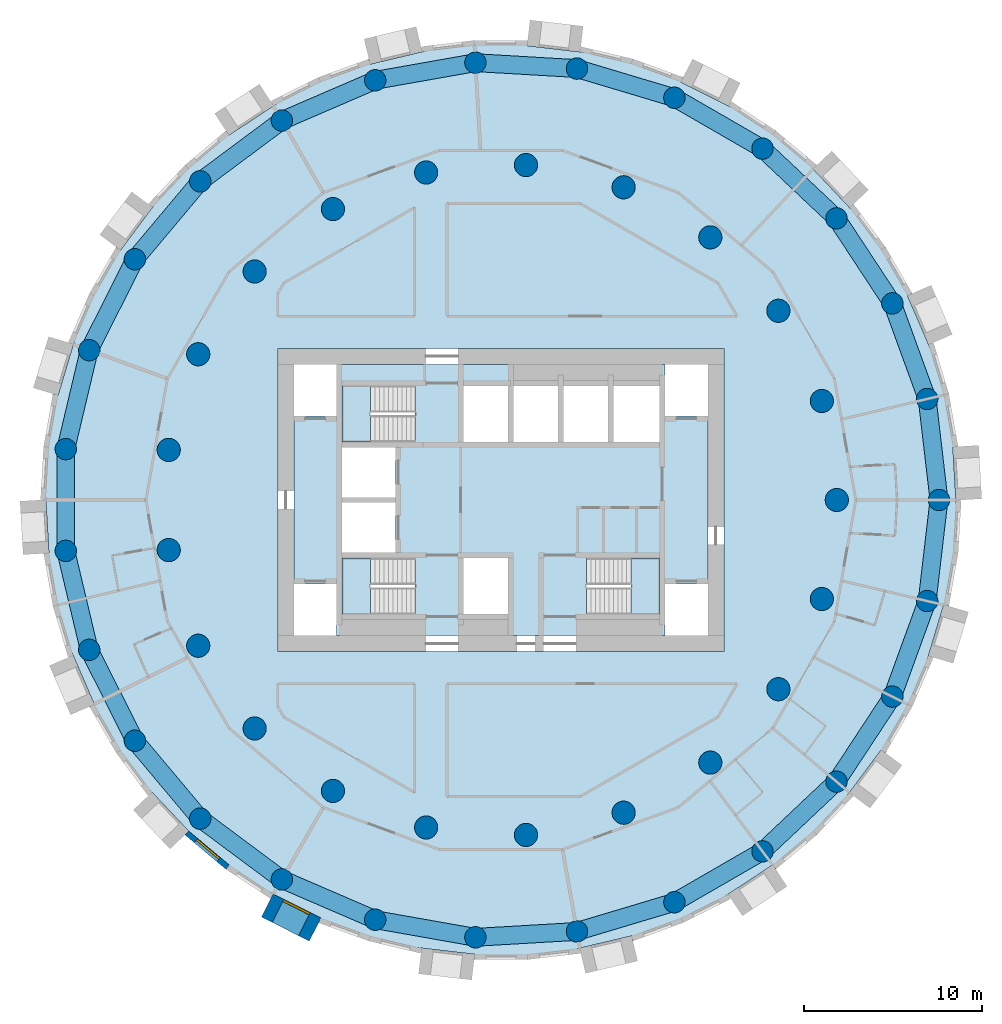
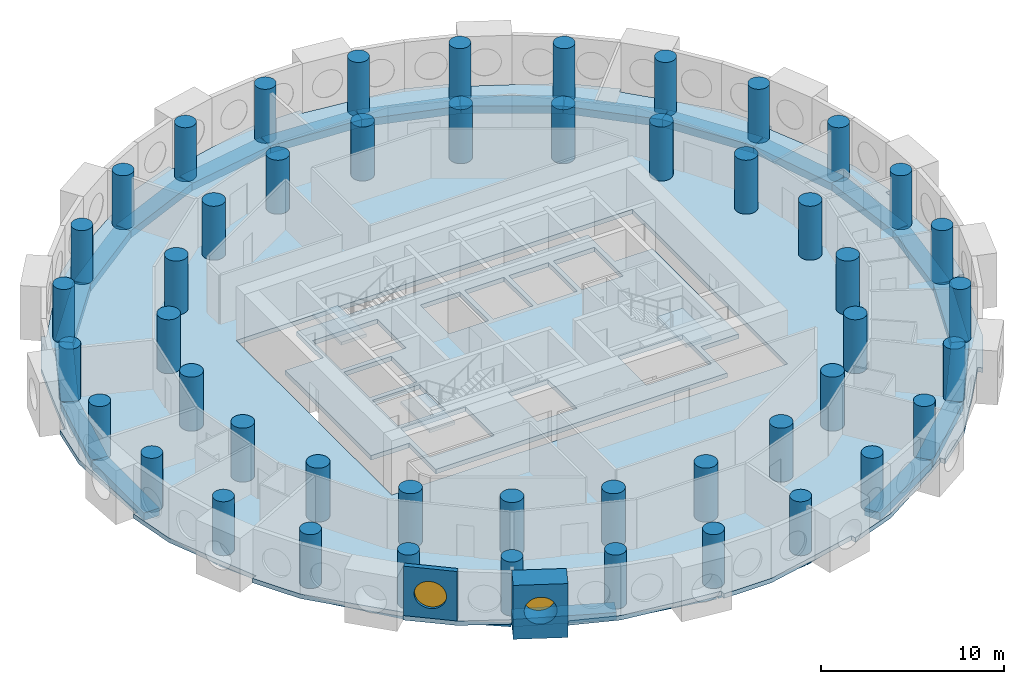
# One storey, part 1 of 9: 48 columns, 27 beams, 5 slabs, 2 walls, 2 windows, 2 openings, 3 elements without a shape of their own.
"""IFC4 building model written with IfcOpenShell, lengths in metres."""

from ifc_helpers import new_model, si_unit, direction, frame, frame_2d, origin, origin_2d, place, context, subcontext, project, spatial, polyline, rectangle, circle, outline, extrude, material, layer, layer_set, material_profile, profile_set, type_object, element, fill, aggregate, save


model = new_model("IFC4")

# Units and contexts
model_context = context("Model", 3, precision=1e-05, world=origin(), true_north=direction((0.0, 1.0)))
body_context = subcontext(model_context, "Body", "Model", "MODEL_VIEW")
ifc_project = project(units=[si_unit("LENGTHUNIT", "METRE"), si_unit("AREAUNIT", "SQUARE_METRE"), si_unit("VOLUMEUNIT", "CUBIC_METRE"), si_unit("PLANEANGLEUNIT", "RADIAN"), si_unit("MASSUNIT", "GRAM", prefix="KILO")], contexts=[model_context])

# Site, building, storey
site_placement = place(None, origin())
site = spatial("IfcSite", under=ifc_project, at=site_placement, CompositionType="ELEMENT")
building_placement = place(site_placement, origin())
building = spatial("IfcBuilding", under=site, at=building_placement, Name="Tracery Tower", CompositionType="ELEMENT")
storey_placement = place(building_placement, frame((0.0, 0.0, 198.0)))
storey = spatial("IfcBuildingStorey", under=building, at=storey_placement, Name="L51", CompositionType="ELEMENT", Elevation=198.0)

# Columns
ifc_material_1 = material(Name="Concrete C50/60", Category="concrete")
ifc_material_profile_1 = material_profile(ifc_material_1, circle(Radius=0.60009765625, at=origin_2d()), Name="RC D1200")
ifc_profile_set_1 = profile_set([ifc_material_profile_1], Name="Concrete C50/60")
column_type_1 = type_object("IfcColumnType", Name="Ring 1 column 1200", PredefinedType="COLUMN", material=ifc_profile_set_1)
for number, where, z_axis, x_axis, name in (
    (1, (24.547607421875, 0.0, 0.0), (0.0, 0.0, 1.0), (1.0, 0.0, 0.0), "Ring 1 column 00 at L51"),
    (2, (23.885986328125, 5.6611328125, 0.0), (0.0, 0.0, 1.0), (1.0, 0.0, 0.0), "Ring 1 column 01 at L51"),
    (3, (21.9365234375, 11.01708984375, 0.0), (0.0, 0.0, 1.0), (1.0, 0.0, 0.0), "Ring 1 column 02 at L51"),
    (4, (18.8046875, 15.779052734375, 0.0), (0.0, 0.0, 1.0), (1.0, 0.0, 0.0), "Ring 1 column 03 at L51"),
    (5, (14.658935546875, 19.690185546875, 0.0), (0.0, 0.0, 1.0), (1.0, 0.0, 0.0), "Ring 1 column 04 at L51"),
    (6, (9.722900390625, 22.5400390625, 0.0), (0.0, 0.0, 1.0), (1.0, 0.0, 0.0), "Ring 1 column 05 at L51"),
    (7, (4.2626953125, 24.1748046875, 0.0), (0.0, 0.0, 1.0), (1.0, 0.0, 0.0), "Ring 1 column 06 at L51"),
    (8, (-1.42724609375, 24.506103515625, 0.0), (0.0, 0.0, 1.0), (1.0, 0.0, 0.0), "Ring 1 column 07 at L51"),
    (9, (-7.040283203125, 23.516357421875, 0.0), (0.0, 0.0, 1.0), (1.0, 0.0, 0.0), "Ring 1 column 08 at L51"),
    (10, (-12.273681640625, 21.2587890625, 0.0), (0.0, 0.0, 1.0), (1.0, 0.0, 0.0), "Ring 1 column 09 at L51"),
    (11, (-16.845703125, 17.855224609375, 0.0), (0.0, 0.0, 1.0), (1.0, 0.0, 0.0), "Ring 1 column 10 at L51"),
    (12, (-20.50927734375, 13.4892578125, 0.0), (0.0, 0.0, 1.0), (1.0, 0.0, 0.0), "Ring 1 column 11 at L51"),
    (13, (-23.0673828125, 8.395751953125, 0.0), (0.0, 0.0, 1.0), (1.0, 0.0, 0.0), "Ring 1 column 12 at L51"),
    (14, (-24.381591796875, 2.849853515625, 0.0), (0.0, 0.0, 1.0), (1.0, 0.0, 0.0), "Ring 1 column 13 at L51"),
    (15, (-24.381591796875, -2.849853515625, 0.0), (0.0, 0.0, 1.0), (1.0, 0.0, 0.0), "Ring 1 column 14 at L51"),
    (16, (-23.0673828125, -8.395751953125, 0.0), (0.0, 0.0, 1.0), (1.0, 0.0, 0.0), "Ring 1 column 15 at L51"),
    (17, (-20.50927734375, -13.4892578125, 0.0), (0.0, 0.0, 1.0), (1.0, 0.0, 0.0), "Ring 1 column 16 at L51"),
    (18, (-16.845703125, -17.85546875, 0.0), (0.0, 0.0, 1.0), (1.0, 0.0, 0.0), "Ring 1 column 17 at L51"),
    (19, (-12.27392578125, -21.2587890625, 0.0), (0.0, 0.0, 1.0), (1.0, 0.0, 0.0), "Ring 1 column 18 at L51"),
    (20, (-7.040283203125, -23.516357421875, 0.0), (0.0, 0.0, 1.0), (1.0, 0.0, 0.0), "Ring 1 column 19 at L51"),
    (21, (-1.42724609375, -24.506103515625, 0.0), (0.0, 0.0, 1.0), (1.0, 0.0, 0.0), "Ring 1 column 20 at L51"),
    (22, (4.2626953125, -24.1748046875, 0.0), (0.0, 0.0, 1.0), (1.0, 0.0, 0.0), "Ring 1 column 21 at L51"),
    (23, (9.722900390625, -22.5400390625, 0.0), (0.0, 0.0, 1.0), (1.0, 0.0, 0.0), "Ring 1 column 22 at L51"),
    (24, (14.658935546875, -19.690185546875, 0.0), (0.0, 0.0, 1.0), (1.0, 0.0, 0.0), "Ring 1 column 23 at L51"),
    (25, (18.8046875, -15.779052734375, 0.0), (0.0, 0.0, 1.0), (1.0, 0.0, 0.0), "Ring 1 column 24 at L51"),
    (26, (21.9365234375, -11.01708984375, 0.0), (0.0, 0.0, 1.0), (1.0, 0.0, 0.0), "Ring 1 column 25 at L51"),
    (27, (23.885986328125, -5.6611328125, 0.0), (0.0, 0.0, 1.0), (1.0, 0.0, 0.0), "Ring 1 column 26 at L51"),
):
    element("IfcColumn", number, at=place(storey_placement, frame(where, z_axis=z_axis, x_axis=x_axis)), inside=storey, type_object=column_type_1, Name=name, PredefinedType="COLUMN", context=body_context, shape_type="SweptSolid", body=[
        extrude(circle(Radius=0.60009765625, at=origin_2d()), origin(), (0.0, 0.0, 1.0), 3.60009765625),
    ])
ifc_material_2 = material(Name="Concrete C50/60", Category="concrete")
ifc_material_profile_2 = material_profile(ifc_material_2, circle(Radius=0.64990234375, at=origin_2d()), Name="RC D1300")
ifc_profile_set_2 = profile_set([ifc_material_profile_2], Name="Concrete C50/60")
column_type_2 = type_object("IfcColumnType", Name="Ring 2 column 1300", PredefinedType="COLUMN", material=ifc_profile_set_2)
for number, where, z_axis, x_axis, name in (
    (28, (18.822265625, 0.0, 0.0), (0.0, 0.0, 1.0), (1.0, 0.0, 0.0), "Ring 2 column 00 at L51"),
    (29, (17.986083984375, 5.5478515625, 0.0), (0.0, 0.0, 1.0), (1.0, 0.0, 0.0), "Ring 2 column 01 at L51"),
    (30, (15.551513671875, 10.602783203125, 0.0), (0.0, 0.0, 1.0), (1.0, 0.0, 0.0), "Ring 2 column 02 at L51"),
    (31, (11.7353515625, 14.7158203125, 0.0), (0.0, 0.0, 1.0), (1.0, 0.0, 0.0), "Ring 2 column 03 at L51"),
    (32, (6.87646484375, 17.52099609375, 0.0), (0.0, 0.0, 1.0), (1.0, 0.0, 0.0), "Ring 2 column 04 at L51"),
    (33, (1.406494140625, 18.76953125, 0.0), (0.0, 0.0, 1.0), (1.0, 0.0, 0.0), "Ring 2 column 05 at L51"),
    (34, (-4.188232421875, 18.350341796875, 0.0), (0.0, 0.0, 1.0), (1.0, 0.0, 0.0), "Ring 2 column 06 at L51"),
    (35, (-9.4111328125, 16.300537109375, 0.0), (0.0, 0.0, 1.0), (1.0, 0.0, 0.0), "Ring 2 column 07 at L51"),
    (36, (-13.797607421875, 12.802490234375, 0.0), (0.0, 0.0, 1.0), (1.0, 0.0, 0.0), "Ring 2 column 08 at L51"),
    (37, (-16.958251953125, 8.16650390625, 0.0), (0.0, 0.0, 1.0), (1.0, 0.0, 0.0), "Ring 2 column 09 at L51"),
    (38, (-18.612060546875, 2.805419921875, 0.0), (0.0, 0.0, 1.0), (1.0, 0.0, 0.0), "Ring 2 column 10 at L51"),
    (39, (-18.612060546875, -2.805419921875, 0.0), (0.0, 0.0, 1.0), (1.0, 0.0, 0.0), "Ring 2 column 11 at L51"),
    (40, (-16.958251953125, -8.166748046875, 0.0), (0.0, 0.0, 1.0), (1.0, 0.0, 0.0), "Ring 2 column 12 at L51"),
    (41, (-13.797607421875, -12.80224609375, 0.0), (0.0, 0.0, 1.0), (1.0, 0.0, 0.0), "Ring 2 column 13 at L51"),
    (42, (-9.4111328125, -16.300537109375, 0.0), (0.0, 0.0, 1.0), (1.0, 0.0, 0.0), "Ring 2 column 14 at L51"),
    (43, (-4.188232421875, -18.350341796875, 0.0), (0.0, 0.0, 1.0), (1.0, 0.0, 0.0), "Ring 2 column 15 at L51"),
    (44, (1.406494140625, -18.76953125, 0.0), (0.0, 0.0, 1.0), (1.0, 0.0, 0.0), "Ring 2 column 16 at L51"),
    (45, (6.87646484375, -17.52099609375, 0.0), (0.0, 0.0, 1.0), (1.0, 0.0, 0.0), "Ring 2 column 17 at L51"),
    (46, (11.7353515625, -14.7158203125, 0.0), (0.0, 0.0, 1.0), (1.0, 0.0, 0.0), "Ring 2 column 18 at L51"),
    (47, (15.551513671875, -10.602783203125, 0.0), (0.0, 0.0, 1.0), (1.0, 0.0, 0.0), "Ring 2 column 19 at L51"),
    (48, (17.986083984375, -5.5478515625, 0.0), (0.0, 0.0, 1.0), (1.0, 0.0, 0.0), "Ring 2 column 20 at L51"),
):
    element("IfcColumn", number, at=place(storey_placement, frame(where, z_axis=z_axis, x_axis=x_axis)), inside=storey, type_object=column_type_2, Name=name, PredefinedType="COLUMN", context=body_context, shape_type="SweptSolid", body=[
        extrude(circle(Radius=0.64990234375, at=origin_2d()), origin(), (0.0, 0.0, 1.0), 3.60009765625),
    ])

# Beams
ifc_material_3 = material(Name="Concrete C50/60", Category="concrete")
ifc_material_profile_3 = material_profile(ifc_material_3, rectangle(XDim=1.0, YDim=0.5, at=origin_2d()), Name="RC 1000x500")
ifc_profile_set_3 = profile_set([ifc_material_profile_3], Name="Concrete C50/60")
beam_type = type_object("IfcBeamType", Name="Perimeter band beam 1000x500", PredefinedType="BEAM", material=ifc_profile_set_3)
for number, where, z_axis, x_axis, name in (
    (49, (24.547607421875, 0.0, -0.550048828125), (-0.116080723252, 0.993239782575, 0.0), (-0.993239782575, -0.116080723252, 0.0), "Perimeter beam 1.00 under L51"),
    (50, (23.885986328125, 5.6611328125, -0.550048828125), (-0.342028502279, 0.939689578334, 0.0), (-0.939689578334, -0.342028502279, 0.0), "Perimeter beam 1.01 under L51"),
):
    element("IfcBeam", number, at=place(storey_placement, frame(where, z_axis=z_axis, x_axis=x_axis)), inside=storey, type_object=beam_type, Name=name, PredefinedType="BEAM", context=body_context, shape_type="SweptSolid", body=[
        extrude(rectangle(XDim=1.0, YDim=0.5, at=origin_2d()), origin(), (0.0, 0.0, 1.0), 5.69970703125),
    ])
for number, where, z_axis, x_axis, name in (
    (51, (21.9365234375, 11.01708984375, -0.550048828125), (-0.549489832182, 0.835500403548, 0.0), (-0.835500403548, -0.549489832182, 0.0), "Perimeter beam 1.02 under L51"),
    (52, (18.8046875, 15.779052734375, -0.550048828125), (-0.727389618263, 0.686224703172, 0.0), (-0.686224703172, -0.727389618263, 0.0), "Perimeter beam 1.03 under L51"),
):
    element("IfcBeam", number, at=place(storey_placement, frame(where, z_axis=z_axis, x_axis=x_axis)), inside=storey, type_object=beam_type, Name=name, PredefinedType="BEAM", context=body_context, shape_type="SweptSolid", body=[
        extrude(rectangle(XDim=1.0, YDim=0.5, at=origin_2d()), origin(), (0.0, 0.0, 1.0), 5.699462890625),
    ])
for number, where, z_axis, x_axis, name in (
    (53, (14.658935546875, 19.690185546875, -0.550048828125), (-0.866022950691, 0.500004248858, 0.0), (-0.500004248858, -0.866022950691, 0.0), "Perimeter beam 1.04 under L51"),
    (54, (9.722900390625, 22.5400390625, -0.550048828125), (-0.957985292634, 0.28681732705, 0.0), (-0.28681732705, -0.957985292634, 0.0), "Perimeter beam 1.05 under L51"),
):
    element("IfcBeam", number, at=place(storey_placement, frame(where, z_axis=z_axis, x_axis=x_axis)), inside=storey, type_object=beam_type, Name=name, PredefinedType="BEAM", context=body_context, shape_type="SweptSolid", body=[
        extrude(rectangle(XDim=1.0, YDim=0.5, at=origin_2d()), origin(), (0.0, 0.0, 1.0), 5.69970703125),
    ])
beam_1_placement = place(storey_placement, frame((4.2626953125, 24.1748046875, -0.550048828125), z_axis=(-0.99830920221, 0.058126902403, 0.0), x_axis=(-0.058126902403, -0.99830920221, 0.0)))
element("IfcBeam", 55, at=beam_1_placement, inside=storey, type_object=beam_type, Name="Perimeter beam 1.06 under L51", PredefinedType="BEAM", context=body_context, shape_type="SweptSolid", body=[
    extrude(rectangle(XDim=1.0, YDim=0.5, at=origin_2d()), origin(), (0.0, 0.0, 1.0), 5.699462890625),
])
beam_2_placement = place(storey_placement, frame((-1.42724609375, 24.506103515625, -0.550048828125), z_axis=(-0.984807266719, -0.173650935552, 0.0), x_axis=(0.173650935552, -0.984807266719, 0.0)))
element("IfcBeam", 56, at=beam_2_placement, inside=storey, type_object=beam_type, Name="Perimeter beam 1.07 under L51", PredefinedType="BEAM", context=body_context, shape_type="SweptSolid", body=[
    extrude(rectangle(XDim=1.0, YDim=0.5, at=origin_2d()), origin(), (0.0, 0.0, 1.0), 5.69970703125),
])
beam_3_placement = place(storey_placement, frame((-7.040283203125, 23.516357421875, -0.550048828125), z_axis=(-0.918209685525, -0.396094652083, 0.0), x_axis=(0.396094652083, -0.918209685525, 0.0)))
element("IfcBeam", 57, at=beam_3_placement, inside=storey, type_object=beam_type, Name="Perimeter beam 1.08 under L51", PredefinedType="BEAM", context=body_context, shape_type="SweptSolid", body=[
    extrude(rectangle(XDim=1.0, YDim=0.5, at=origin_2d()), origin(), (0.0, 0.0, 1.0), 5.699462890625),
])
beam_4_placement = place(storey_placement, frame((-12.273681640625, 21.2587890625, -0.550048828125), z_axis=(-0.802138271299, -0.59713833717, 0.0), x_axis=(0.59713833717, -0.802138271299, 0.0)))
element("IfcBeam", 58, at=beam_4_placement, inside=storey, type_object=beam_type, Name="Perimeter beam 1.09 under L51", PredefinedType="BEAM", context=body_context, shape_type="SweptSolid", body=[
    extrude(rectangle(XDim=1.0, YDim=0.5, at=origin_2d()), origin(), (0.0, 0.0, 1.0), 5.69970703125),
])
beam_5_placement = place(storey_placement, frame((-16.845703125, 17.855224609375, -0.550048828125), z_axis=(-0.642797194343, -0.766036400535, 0.0), x_axis=(0.766036400535, -0.642797194343, 0.0)))
element("IfcBeam", 59, at=beam_5_placement, inside=storey, type_object=beam_type, Name="Perimeter beam 1.10 under L51", PredefinedType="BEAM", context=body_context, shape_type="SweptSolid", body=[
    extrude(rectangle(XDim=1.0, YDim=0.5, at=origin_2d()), origin(), (0.0, 0.0, 1.0), 5.699462890625),
])
beam_6_placement = place(storey_placement, frame((-20.50927734375, 13.4892578125, -0.550048828125), z_axis=(-0.448806280933, -0.893629074166, 0.0), x_axis=(0.893629074166, -0.448806280933, 0.0)))
element("IfcBeam", 60, at=beam_6_placement, inside=storey, type_object=beam_type, Name="Perimeter beam 1.11 under L51", PredefinedType="BEAM", context=body_context, shape_type="SweptSolid", body=[
    extrude(rectangle(XDim=1.0, YDim=0.5, at=origin_2d()), origin(), (0.0, 0.0, 1.0), 5.69970703125),
])
beam_7_placement = place(storey_placement, frame((-23.0673828125, 8.395751953125, -0.550048828125), z_axis=(-0.230583793756, -0.973052472407, 0.0), x_axis=(0.973052472407, -0.230583793756, 0.0)))
element("IfcBeam", 61, at=beam_7_placement, inside=storey, type_object=beam_type, Name="Perimeter beam 1.12 under L51", PredefinedType="BEAM", context=body_context, shape_type="SweptSolid", body=[
    extrude(rectangle(XDim=1.0, YDim=0.5, at=origin_2d()), origin(), (0.0, 0.0, 1.0), 5.699462890625),
])
beam_8_placement = place(storey_placement, frame((-24.381591796875, 2.849853515625, -0.550048828125), z_axis=(0.0, -1.0, 0.0), x_axis=(1.0, 0.0, 0.0)))
element("IfcBeam", 62, at=beam_8_placement, inside=storey, type_object=beam_type, Name="Perimeter beam 1.13 under L51", PredefinedType="BEAM", context=body_context, shape_type="SweptSolid", body=[
    extrude(rectangle(XDim=1.0, YDim=0.5, at=origin_2d()), origin(), (0.0, 0.0, 1.0), 5.69970703125),
])
beam_9_placement = place(storey_placement, frame((-24.381591796875, -2.849853515625, -0.550048828125), z_axis=(0.230583793756, -0.973052472407, 0.0), x_axis=(0.973052472407, 0.230583793756, 0.0)))
element("IfcBeam", 63, at=beam_9_placement, inside=storey, type_object=beam_type, Name="Perimeter beam 1.14 under L51", PredefinedType="BEAM", context=body_context, shape_type="SweptSolid", body=[
    extrude(rectangle(XDim=1.0, YDim=0.5, at=origin_2d()), origin(), (0.0, 0.0, 1.0), 5.699462890625),
])
for number, where, z_axis, x_axis, name in (
    (64, (-23.0673828125, -8.395751953125, -0.550048828125), (0.448806280933, -0.893629074166, 0.0), (0.893629074166, 0.448806280933, 0.0), "Perimeter beam 1.15 under L51"),
    (65, (-20.50927734375, -13.4892578125, -0.550048828125), (0.64277610208, -0.766054099, 0.0), (0.766054099, 0.64277610208, 0.0), "Perimeter beam 1.16 under L51"),
):
    element("IfcBeam", number, at=place(storey_placement, frame(where, z_axis=z_axis, x_axis=x_axis)), inside=storey, type_object=beam_type, Name=name, PredefinedType="BEAM", context=body_context, shape_type="SweptSolid", body=[
        extrude(rectangle(XDim=1.0, YDim=0.5, at=origin_2d()), origin(), (0.0, 0.0, 1.0), 5.69970703125),
    ])
beam_10_placement = place(storey_placement, frame((-16.845703125, -17.85546875, -0.550048828125), z_axis=(0.802143514942, -0.597131293298, 0.0), x_axis=(0.597131293298, 0.802143514942, 0.0)))
element("IfcBeam", 66, at=beam_10_placement, inside=storey, type_object=beam_type, Name="Perimeter beam 1.17 under L51", PredefinedType="BEAM", context=body_context, shape_type="SweptSolid", body=[
    extrude(rectangle(XDim=1.0, YDim=0.5, at=origin_2d()), origin(), (0.0, 0.0, 1.0), 5.699462890625),
])
for number, where, z_axis, x_axis, name in (
    (67, (-12.27392578125, -21.2587890625, -0.550048828125), (0.918216405543, -0.39607907366, 0.0), (0.39607907366, 0.918216405543, 0.0), "Perimeter beam 1.18 under L51"),
    (68, (-7.040283203125, -23.516357421875, -0.550048828125), (0.984807266719, -0.173650935552, 0.0), (0.173650935552, 0.984807266719, 0.0), "Perimeter beam 1.19 under L51"),
):
    element("IfcBeam", number, at=place(storey_placement, frame(where, z_axis=z_axis, x_axis=x_axis)), inside=storey, type_object=beam_type, Name=name, PredefinedType="BEAM", context=body_context, shape_type="SweptSolid", body=[
        extrude(rectangle(XDim=1.0, YDim=0.5, at=origin_2d()), origin(), (0.0, 0.0, 1.0), 5.69970703125),
    ])
beam_11_placement = place(storey_placement, frame((-1.42724609375, -24.506103515625, -0.550048828125), z_axis=(0.99830920221, 0.058126902403, 0.0), x_axis=(-0.058126902403, 0.99830920221, 0.0)))
element("IfcBeam", 69, at=beam_11_placement, inside=storey, type_object=beam_type, Name="Perimeter beam 1.20 under L51", PredefinedType="BEAM", context=body_context, shape_type="SweptSolid", body=[
    extrude(rectangle(XDim=1.0, YDim=0.5, at=origin_2d()), origin(), (0.0, 0.0, 1.0), 5.699462890625),
])
for number, where, z_axis, x_axis, name in (
    (70, (4.2626953125, -24.1748046875, -0.550048828125), (0.957985292634, 0.28681732705, 0.0), (-0.28681732705, 0.957985292634, 0.0), "Perimeter beam 1.21 under L51"),
    (71, (9.722900390625, -22.5400390625, -0.550048828125), (0.866022950691, 0.500004248858, 0.0), (-0.500004248858, 0.866022950691, 0.0), "Perimeter beam 1.22 under L51"),
):
    element("IfcBeam", number, at=place(storey_placement, frame(where, z_axis=z_axis, x_axis=x_axis)), inside=storey, type_object=beam_type, Name=name, PredefinedType="BEAM", context=body_context, shape_type="SweptSolid", body=[
        extrude(rectangle(XDim=1.0, YDim=0.5, at=origin_2d()), origin(), (0.0, 0.0, 1.0), 5.69970703125),
    ])
for number, where, z_axis, x_axis, name in (
    (72, (14.658935546875, -19.690185546875, -0.550048828125), (0.727389618263, 0.686224703172, 0.0), (-0.686224703172, 0.727389618263, 0.0), "Perimeter beam 1.23 under L51"),
    (73, (18.8046875, -15.779052734375, -0.550048828125), (0.549489832182, 0.835500403548, 0.0), (-0.835500403548, 0.549489832182, 0.0), "Perimeter beam 1.24 under L51"),
):
    element("IfcBeam", number, at=place(storey_placement, frame(where, z_axis=z_axis, x_axis=x_axis)), inside=storey, type_object=beam_type, Name=name, PredefinedType="BEAM", context=body_context, shape_type="SweptSolid", body=[
        extrude(rectangle(XDim=1.0, YDim=0.5, at=origin_2d()), origin(), (0.0, 0.0, 1.0), 5.699462890625),
    ])
for number, where, z_axis, x_axis, name in (
    (74, (21.9365234375, -11.01708984375, -0.550048828125), (0.342028502279, 0.939689578334, 0.0), (-0.939689578334, 0.342028502279, 0.0), "Perimeter beam 1.25 under L51"),
    (75, (23.885986328125, -5.6611328125, -0.550048828125), (0.116080723252, 0.993239782575, 0.0), (-0.993239782575, 0.116080723252, 0.0), "Perimeter beam 1.26 under L51"),
):
    element("IfcBeam", number, at=place(storey_placement, frame(where, z_axis=z_axis, x_axis=x_axis)), inside=storey, type_object=beam_type, Name=name, PredefinedType="BEAM", context=body_context, shape_type="SweptSolid", body=[
        extrude(rectangle(XDim=1.0, YDim=0.5, at=origin_2d()), origin(), (0.0, 0.0, 1.0), 5.69970703125),
    ])

# Slabs
ifc_material_4 = material(Name="Concrete C50/60", Category="concrete")
ifc_layer_1 = layer(ifc_material_4, 0.300048828125)
ifc_layer_set_1 = layer_set([ifc_layer_1], Name="Core floor slab 300 C50")
slab_type_1 = type_object("IfcSlabType", Name="Core floor slab 300 C50", PredefinedType="FLOOR", material=ifc_layer_set_1)
slab_1_placement = place(storey_placement, frame((0.0, 0.0, -0.300048828125)))
element("IfcSlab", 76, at=slab_1_placement, inside=storey, type_object=slab_type_1, Name="L51 core floor 1", PredefinedType="FLOOR", context=body_context, shape_type="SweptSolid", body=[
    extrude(outline(polyline([(-9.199951171875, 7.60009765625), (9.199951171875, 7.60009765625), (9.199951171875, 4.699951171875), (11.60009765625, 4.699951171875), (11.60009765625, -4.699951171875), (9.199951171875, -4.699951171875), (9.199951171875, -7.60009765625), (-9.199951171875, -7.60009765625), (-9.199951171875, -4.699951171875), (-11.60009765625, -4.699951171875), (-11.60009765625, 4.699951171875), (-9.199951171875, 4.699951171875), (-9.199951171875, 7.60009765625)]), holes=[polyline([(4.800537109375, -6.39990234375), (8.89990234375, -6.39990234375), (8.89990234375, -3.25), (4.800537109375, -3.25), (4.800537109375, -6.39990234375)]), polyline([(8.89990234375, 3.25), (8.89990234375, 6.39990234375), (6.300048828125, 6.39990234375), (6.300048828125, 3.25), (8.89990234375, 3.25)]), polyline([(6.0, 3.25), (6.0, 6.39990234375), (3.5, 6.39990234375), (3.5, 3.25), (6.0, 3.25)]), polyline([(3.199951171875, 3.25), (3.199951171875, 6.39990234375), (0.699951171875, 6.39990234375), (0.699951171875, 3.25), (3.199951171875, 3.25)]), polyline([(-2.10009765625, 3.25), (0.39990234375, 3.25), (0.39990234375, 6.39990234375), (-2.10009765625, 6.39990234375), (-2.10009765625, 3.25)]), polyline([(0.39990234375, -6.39990234375), (0.39990234375, -3.25), (-2.10009765625, -3.25), (-2.10009765625, -6.39990234375), (0.39990234375, -6.39990234375)]), polyline([(-4.800537109375, -3.25), (-8.89990234375, -3.25), (-8.89990234375, -6.39990234375), (-4.800537109375, -6.39990234375), (-4.800537109375, -3.25)]), polyline([(-4.800537109375, 6.39990234375), (-8.89990234375, 6.39990234375), (-8.89990234375, 3.25), (-4.800537109375, 3.25), (-4.800537109375, 6.39990234375)]), polyline([(-5.89990234375, -2.949951171875), (-5.89990234375, -0.14990234375), (-8.89990234375, -0.14990234375), (-8.89990234375, -2.949951171875), (-5.89990234375, -2.949951171875)]), polyline([(-5.89990234375, 0.14990234375), (-5.89990234375, 2.949951171875), (-8.89990234375, 2.949951171875), (-8.89990234375, 0.14990234375), (-5.89990234375, 0.14990234375)])]), origin(), (0.0, 0.0, 1.0), 0.300048828125),
])
ifc_material_5 = material(Name="Concrete C40/50", Category="concrete")
ifc_layer_2 = layer(ifc_material_5, 0.300048828125)
ifc_layer_set_2 = layer_set([ifc_layer_2], Name="Floor slab 300")
slab_type_2 = type_object("IfcSlabType", Name="Floor slab 300", PredefinedType="FLOOR", material=ifc_layer_set_2)
slab_2_placement = place(storey_placement, frame((0.0, 0.0, -0.300048828125)))
element("IfcSlab", 77, at=slab_2_placement, inside=storey, type_object=slab_type_2, Name="Floor slab L51", PredefinedType="FLOOR", context=body_context, shape_type="SweptSolid", body=[
    extrude(outline(polyline([(22.78515625, 11.443115234375), (22.7783203125, 11.459228515625), (23.0537109375, 11.577880859375), (21.5537109375, 14.176025390625), (19.533203125, 16.387939453125), (18.208740234375, 17.791748046875), (17.497314453125, 18.5458984375), (17.497314453125, 18.5458984375), (17.485107421875, 18.55859375), (17.70361328125, 18.7646484375), (15.4052734375, 20.69287109375), (12.74853515625, 22.081298828125), (10.098876953125, 23.411865234375), (10.098876953125, 23.411865234375), (10.083251953125, 23.419921875), (10.217529296875, 23.68701171875), (10.218017578125, 23.68798828125), (7.39892578125, 24.7138671875), (4.427490234375, 25.10986328125), (3.055908203125, 25.27001953125), (1.465087890625, 25.4560546875), (1.5, 25.75390625), (1.5, 25.754150390625), (-1.5, 25.754150390625), (-4.427490234375, 25.10986328125), (-7.312744140625, 24.426025390625), (-7.312744140625, 24.426025390625), (-7.32958984375, 24.422119140625), (-7.398681640625, 24.713134765625), (-7.39892578125, 24.7138671875), (-10.218017578125, 23.68798828125), (-12.74853515625, 22.081298828125), (-13.4443359375, 21.623779296875), (-15.240478515625, 20.4423828125), (-15.4052734375, 20.69287109375), (-15.4052734375, 20.69287109375), (-17.70361328125, 18.7646484375), (-19.531005859375, 16.390625), (-20.657958984375, 14.876953125), (-21.302490234375, 14.010986328125), (-21.302490234375, 14.010986328125), (-21.31298828125, 13.996826171875), (-21.5537109375, 14.176025390625), (-23.0537109375, 11.577880859375), (-23.95947265625, 8.720703125), (-24.694580078125, 6.265380859375), (-24.81494140625, 5.86328125), (-25.102294921875, 5.949462890625), (-25.623291015625, 2.994873046875), (-25.497314453125, 0.00048828125), (-25.32373046875, -2.9775390625), (-25.623291015625, -2.994873046875), (-25.102294921875, -5.949462890625), (-23.95947265625, -8.720703125), (-22.78515625, -11.443115234375), (-22.78515625, -11.443115234375), (-22.7783203125, -11.459228515625), (-23.0537109375, -11.577880859375), (-21.5537109375, -14.176025390625), (-19.533203125, -16.387939453125), (-18.208740234375, -17.791748046875), (-17.497314453125, -18.5458984375), (-17.497314453125, -18.5458984375), (-17.485107421875, -18.55859375), (-17.70361328125, -18.7646484375), (-15.4052734375, -20.69287109375), (-12.74853515625, -22.081298828125), (-10.098876953125, -23.411865234375), (-10.098876953125, -23.411865234375), (-10.083251953125, -23.419921875), (-10.217529296875, -23.68701171875), (-10.218017578125, -23.68798828125), (-7.39892578125, -24.7138671875), (-4.427490234375, -25.10986328125), (-3.055908203125, -25.27001953125), (-1.465087890625, -25.4560546875), (-1.5, -25.75390625), (-1.5, -25.754150390625), (1.5, -25.754150390625), (4.427490234375, -25.10986328125), (7.312744140625, -24.426025390625), (7.312744140625, -24.426025390625), (7.32958984375, -24.422119140625), (7.398681640625, -24.713134765625), (7.39892578125, -24.7138671875), (10.218017578125, -23.68798828125), (12.74853515625, -22.081298828125), (13.4443359375, -21.623779296875), (15.240478515625, -20.4423828125), (15.4052734375, -20.69287109375), (15.4052734375, -20.69287109375), (17.70361328125, -18.7646484375), (19.531005859375, -16.390625), (20.657958984375, -14.876953125), (21.302490234375, -14.010986328125), (21.302490234375, -14.010986328125), (21.31298828125, -13.996826171875), (21.5537109375, -14.176025390625), (23.0537109375, -11.577880859375), (23.95947265625, -8.720703125), (24.694580078125, -6.265380859375), (24.81494140625, -5.86328125), (25.102294921875, -5.949462890625), (25.623291015625, -2.994873046875), (25.497314453125, -0.00048828125), (25.32373046875, 2.9775390625), (25.623291015625, 2.994873046875), (25.102294921875, 5.949462890625), (23.95947265625, 8.720703125), (22.78515625, 11.443115234375), (22.78515625, 11.443115234375)]), holes=[polyline([(-12.5, -8.5), (12.5, -8.5), (12.5, 8.5), (-12.5, 8.5), (-12.5, -8.5)])]), origin(), (0.0, 0.0, 1.0), 0.300048828125),
])

# Stair, slab
ifc_material_6 = material(Name="Concrete C32/40", Category="concrete")
stair_type = type_object("IfcStairType", Name="Core stair 22 risers", PredefinedType="HALF_TURN_STAIR", material=ifc_material_6)
stair_1_placement = place(storey_placement, origin())
stair_1 = element("IfcStair", 78, at=stair_1_placement, inside=storey, type_object=stair_type, Name="L51 stair ST1", PredefinedType="HALF_TURN_STAIR")
ifc_material_7 = material(Name="Concrete C32/40", Category="concrete")
ifc_layer_3 = layer(ifc_material_7, 0.199951171875)
ifc_layer_set_3 = layer_set([ifc_layer_3], Name="Stair landing slab 200")
slab_type_3 = type_object("IfcSlabType", Name="Stair landing slab 200", PredefinedType="LANDING", material=ifc_layer_set_3)
slab_3_placement = place(storey_placement, frame((0.0, 0.0, 1.60009765625)))
slab_3 = element("IfcSlab", 79, at=slab_3_placement, type_object=slab_type_3, Name="ST1 landing 1", PredefinedType="LANDING", context=body_context, shape_type="SweptSolid", body=[
    extrude(outline(polyline([(-7.29931640625, -3.25), (-8.89990234375, -3.25), (-8.89990234375, -6.39990234375), (-7.29931640625, -6.39990234375), (-7.29931640625, -3.25)])), origin(), (0.0, 0.0, 1.0), 0.199951171875),
])
aggregate(stair_1, [slab_3])

stair_2_placement = place(storey_placement, origin())
stair_2 = element("IfcStair", 80, at=stair_2_placement, inside=storey, type_object=stair_type, Name="L51 stair ST3", PredefinedType="HALF_TURN_STAIR")
slab_4_placement = place(storey_placement, frame((0.0, 0.0, 1.60009765625)))
slab_4 = element("IfcSlab", 81, at=slab_4_placement, type_object=slab_type_3, Name="ST3 landing 1", PredefinedType="LANDING", context=body_context, shape_type="SweptSolid", body=[
    extrude(outline(polyline([(-7.29931640625, 6.39990234375), (-8.89990234375, 6.39990234375), (-8.89990234375, 3.25), (-7.29931640625, 3.25), (-7.29931640625, 6.39990234375)])), origin(), (0.0, 0.0, 1.0), 0.199951171875),
])
aggregate(stair_2, [slab_4])

stair_3_placement = place(storey_placement, origin())
stair_3 = element("IfcStair", 82, at=stair_3_placement, inside=storey, type_object=stair_type, Name="L51 stair ST2", PredefinedType="HALF_TURN_STAIR")
slab_5_placement = place(storey_placement, frame((0.0, 0.0, 1.60009765625)))
slab_5 = element("IfcSlab", 83, at=slab_5_placement, type_object=slab_type_3, Name="ST2 landing 1", PredefinedType="LANDING", context=body_context, shape_type="SweptSolid", body=[
    extrude(outline(polyline([(7.29931640625, -6.39990234375), (8.89990234375, -6.39990234375), (8.89990234375, -3.25), (7.29931640625, -3.25), (7.29931640625, -6.39990234375)])), origin(), (0.0, 0.0, 1.0), 0.199951171875),
])
aggregate(stair_3, [slab_5])

# Wall, opening, window
ifc_material_8 = material(Name="Precast concrete C50/60", Category="concrete")
ifc_layer_4 = layer(ifc_material_8, 1.449951171875)
ifc_layer_set_4 = layer_set([ifc_layer_4], Name="Deep-set bay unit 3000 x 3600, slab edge 300")
wall_type_1 = type_object("IfcWallType", Name="Deep-set bay unit 3000 x 3600, slab edge 300", PredefinedType="ELEMENTEDWALL", material=ifc_layer_set_4)
wall_1_placement = place(storey_placement, frame((-13.089599609375, -22.72119140625, -0.300048828125), z_axis=(0.0, 0.0, 1.0), x_axis=(0.893628249713, -0.448807922518, 0.0)))
wall_1 = element("IfcWall", 84, at=wall_1_placement, inside=storey, type_object=wall_type_1, Name="Deep-set bay unit 37 at L51", PredefinedType="ELEMENTEDWALL", context=body_context, shape_type="SweptSolid", body=[
    extrude(rectangle(XDim=3.0, YDim=1.449951171875, at=frame_2d((1.5, 0.0))), origin(), (0.0, 0.0, 1.0), 3.60009765625),
])
opening_1_placement = place(wall_1_placement, frame((1.5, 0.0, 1.85009765625)))
opening_1 = element("IfcOpeningElement", 85, at=opening_1_placement, cuts=wall_1, Name="Opening WN1", PredefinedType="OPENING", context=body_context, shape_type="SweptSolid", body=[
    extrude(circle(Radius=0.9000244140625, at=origin_2d()), frame((0.0, 0.73486328125, 0.0), z_axis=(0.0, -1.0, 0.0), x_axis=(1.0, 0.0, 0.0)), (0.0, 0.0, 1.0), 1.469970703125),
])
ifc_material_9 = material(Name="Aluminium frame with tinted double glazing", Category="aluminium")
window_type = type_object("IfcWindowType", Name="Round window 1800", PartitioningType="SINGLE_PANEL", PredefinedType="WINDOW", material=ifc_material_9)
window_1_placement = place(opening_1_placement, origin())
window_1 = element("IfcWindow", 86, at=window_1_placement, inside=storey, type_object=window_type, Name="Round window 37 at L51", OverallHeight=1.800048828125, OverallWidth=1.800048828125, PartitioningType="SINGLE_PANEL", PredefinedType="WINDOW", context=body_context, shape_type="SweptSolid", body=[
    extrude(circle(Radius=0.9000244140625, at=origin_2d()), frame((0.0, 0.69482421875, 0.0), z_axis=(0.0, -1.0, 0.0), x_axis=(1.0, 0.0, 0.0)), (0.0, 0.0, 1.0), 0.10009765625),
])
fill(opening_1, window_1)

ifc_material_10 = material(Name="Precast concrete C50/60", Category="concrete")
ifc_layer_5 = layer(ifc_material_10, 0.300048828125)
ifc_layer_set_5 = layer_set([ifc_layer_5], Name="Facade panel 3000 x 3300")
wall_type_2 = type_object("IfcWallType", Name="Facade panel 3000 x 3300", PredefinedType="SOLIDWALL", material=ifc_layer_set_5)
wall_2_placement = place(storey_placement, frame((-17.593017578125, -18.661376953125, 0.0), z_axis=(0.0, 0.0, 1.0), x_axis=(0.766008913364, -0.642829950023, 0.0)))
wall_2 = element("IfcWall", 87, at=wall_2_placement, inside=storey, type_object=wall_type_2, Name="Facade panel 35 at L51", PredefinedType="SOLIDWALL", context=body_context, shape_type="SweptSolid", body=[
    extrude(rectangle(XDim=2.972900390625, YDim=0.300048828125, at=frame_2d((1.486328125, 0.0))), origin(), (0.0, 0.0, 1.0), 3.300048828125),
])
opening_2_placement = place(wall_2_placement, frame((1.486328125, 0.0, 1.5498046875)))
opening_2 = element("IfcOpeningElement", 88, at=opening_2_placement, cuts=wall_2, Name="Opening WN1", PredefinedType="OPENING", context=body_context, shape_type="SweptSolid", body=[
    extrude(circle(Radius=0.9000244140625, at=origin_2d()), frame((0.0, 0.159912109375, 0.0), z_axis=(0.0, -1.0, 0.0), x_axis=(1.0, 0.0, 0.0)), (0.0, 0.0, 1.0), 0.320068359375),
])
window_2_placement = place(opening_2_placement, origin())
window_2 = element("IfcWindow", 89, at=window_2_placement, inside=storey, type_object=window_type, Name="Round window 35 at L51", OverallHeight=1.800048828125, OverallWidth=1.800048828125, PartitioningType="SINGLE_PANEL", PredefinedType="WINDOW", context=body_context, shape_type="SweptSolid", body=[
    extrude(circle(Radius=0.9000244140625, at=origin_2d()), frame((0.0, 0.1201171875, 0.0), z_axis=(0.0, -1.0, 0.0), x_axis=(1.0, 0.0, 0.0)), (0.0, 0.0, 1.0), 0.10009765625),
])
fill(opening_2, window_2)

save(model, "model.ifc")
